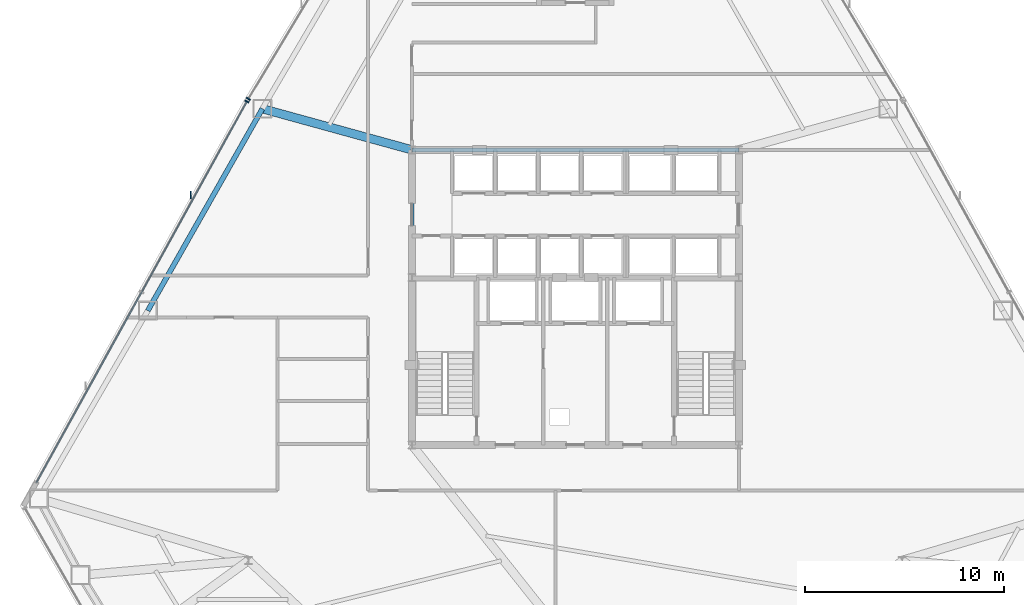
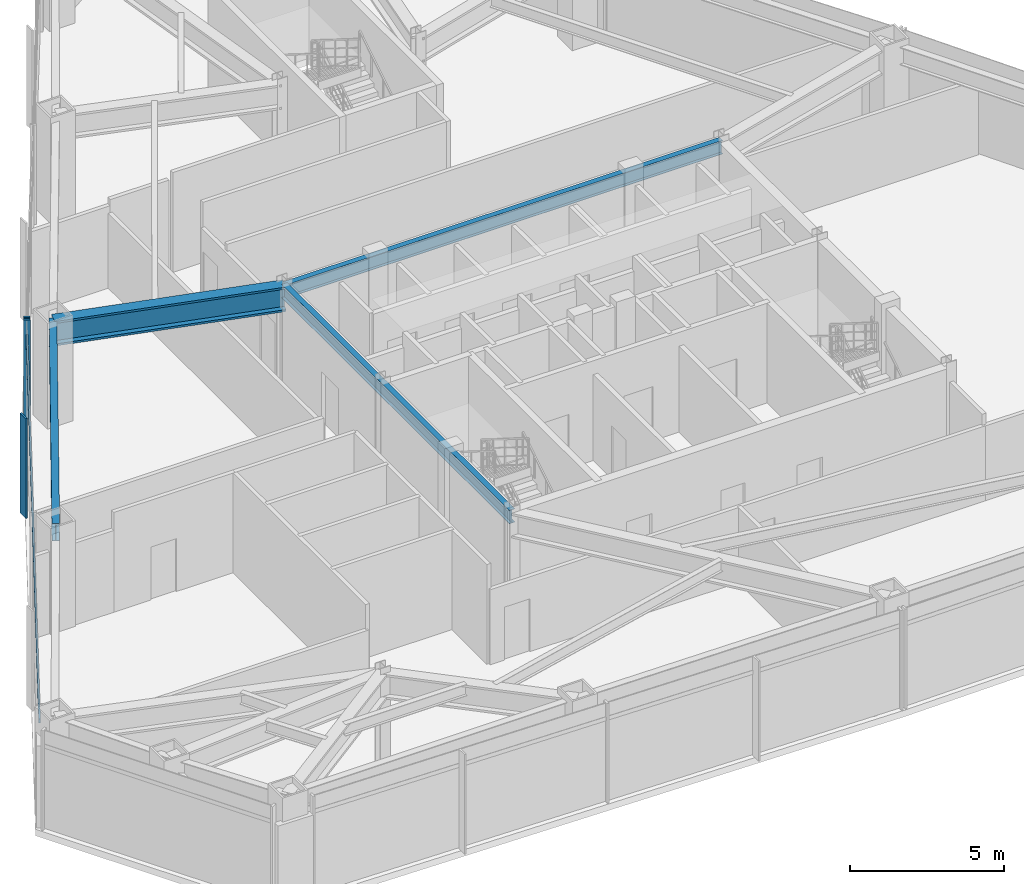
# One storey, part 5 of 13: 4 beams, 4 members, 2 elements without a shape of their own.
"""IFC4 building model written with IfcOpenShell, lengths in metres."""

from ifc_helpers import new_model, si_unit, direction, frame, origin, origin_2d, place, context, subcontext, project, spatial, rectangle, i_section, extrude, source, transform, mapped, material, layer, layer_set, material_profile, profile_set, type_object, type_shapes, element, aggregate, save


model = new_model("IFC4")

# Units and contexts
model_context = context("Model", 3, precision=1e-05, world=origin(), true_north=direction((0.0, 1.0)))
body_context = subcontext(model_context, "Body", "Model", "MODEL_VIEW")
ifc_project = project(units=[si_unit("LENGTHUNIT", "METRE"), si_unit("AREAUNIT", "SQUARE_METRE"), si_unit("VOLUMEUNIT", "CUBIC_METRE"), si_unit("PLANEANGLEUNIT", "RADIAN"), si_unit("MASSUNIT", "GRAM", prefix="KILO")], contexts=[model_context])

# Site, building, storey
site_placement = place(None, origin())
site = spatial("IfcSite", under=ifc_project, at=site_placement, CompositionType="ELEMENT")
building_placement = place(site_placement, origin())
building = spatial("IfcBuilding", under=site, at=building_placement, Name="Varakhsha Concourse Tower", CompositionType="ELEMENT")
storey_placement = place(building_placement, frame((0.0, 0.0, 111.800048828125)))
storey = spatial("IfcBuildingStorey", under=building, at=storey_placement, Name="L32", CompositionType="ELEMENT", Elevation=111.800048828125)

# Beams
ifc_material_1 = material(Name="Structural Steel ASTM A992 Grade 50", Category="steel")
ifc_material_profile_1 = material_profile(ifc_material_1, i_section(OverallWidth=0.2109375, OverallDepth=0.5390625, WebThickness=0.011962890625, FlangeThickness=0.01904296875, at=origin_2d()), Name="W21X73")
ifc_profile_set_1 = profile_set([ifc_material_profile_1], Name="Structural Steel ASTM A992 Grade 50")
beam_type_1 = type_object("IfcBeamType", Name="BM-RAD-W21X73", PredefinedType="BEAM", material=ifc_profile_set_1)
beam_1_placement = place(storey_placement, frame((31.800048828125, 31.199951171875, 3.6904296875), z_axis=(1.0, 0.0, 0.0), x_axis=(0.0, 1.0, 0.0)))
element("IfcBeam", 1, at=beam_1_placement, inside=storey, type_object=beam_type_1, Name="BM-TCORE-L32-CN", PredefinedType="BEAM", context=body_context, shape_type="SweptSolid", body=[
    extrude(i_section(OverallWidth=0.2109375, OverallDepth=0.5390625, WebThickness=0.011962890625, FlangeThickness=0.01904296875, at=origin_2d()), origin(), (0.0, 0.0, 1.0), 16.39990234375),
])
beam_2_placement = place(storey_placement, frame((31.800048828125, 16.39990234375, 3.6904296875), z_axis=(0.0, 1.0, 0.0), x_axis=(-1.0, 0.0, 0.0)))
element("IfcBeam", 2, at=beam_2_placement, inside=storey, type_object=beam_type_1, Name="BM-TCORE-L32-CW", PredefinedType="BEAM", context=body_context, shape_type="SweptSolid", body=[
    extrude(i_section(OverallWidth=0.2109375, OverallDepth=0.5390625, WebThickness=0.011962890625, FlangeThickness=0.01904296875, at=origin_2d()), origin(), (0.0, 0.0, 1.0), 14.800048828125),
])
ifc_material_profile_2 = material_profile(ifc_material_1, i_section(OverallWidth=0.25390625, OverallDepth=0.701904296875, WebThickness=0.014892578125, FlangeThickness=0.028076171875, at=origin_2d()), Name="W27X129")
ifc_profile_set_2 = profile_set([ifc_material_profile_2], Name="Structural Steel ASTM A992 Grade 50")
beam_type_2 = type_object("IfcBeamType", Name="BM-SPAN-W27X129", PredefinedType="SPANDREL", material=ifc_profile_set_2)
beam_3_placement = place(storey_placement, frame((24.299560546875, 33.2646484375, 3.60888671875), z_axis=(-0.493401162042, -0.869801870138, 0.0), x_axis=(0.869801870138, -0.493401162042, 0.0)))
element("IfcBeam", 3, at=beam_3_placement, inside=storey, type_object=beam_type_2, Name="BM-SPAN-L32-05", PredefinedType="SPANDREL", context=body_context, shape_type="SweptSolid", body=[
    extrude(i_section(OverallWidth=0.25390625, OverallDepth=0.701904296875, WebThickness=0.014892578125, FlangeThickness=0.028076171875, at=origin_2d()), origin(), (0.0, 0.0, 1.0), 11.64990234375),
])
ifc_material_profile_3 = material_profile(ifc_material_1, i_section(OverallWidth=0.427978515625, OverallDepth=0.97509765625, WebThickness=0.050048828125, FlangeThickness=0.0810546875, at=origin_2d()), Name="W36X395")
ifc_profile_set_3 = profile_set([ifc_material_profile_3], Name="Structural Steel ASTM A992 Grade 50")
beam_type_3 = type_object("IfcBeamType", Name="BM-XFER-W36X395", PredefinedType="USERDEFINED", material=ifc_profile_set_3)
beam_4_placement = place(storey_placement, frame((31.800048828125, 31.199951171875, 3.472412109375), z_axis=(-0.964137563105, 0.265403013189, 0.0), x_axis=(-0.265403013189, -0.964137563105, 0.0)))
element("IfcBeam", 4, at=beam_4_placement, inside=storey, type_object=beam_type_3, Name="L32 Radial Floor Girder 05", ObjectType="GIRDER", PredefinedType="USERDEFINED", context=body_context, shape_type="SweptSolid", body=[
    extrude(i_section(OverallWidth=0.427978515625, OverallDepth=0.97509765625, WebThickness=0.050048828125, FlangeThickness=0.0810546875, at=origin_2d()), origin(), (0.0, 0.0, 1.0), 7.779541015625),
])

# Curtain wall, member
ifc_material_2 = material(Name="Anodised Bronze Architectural Aluminium AA 6063-T6", Category="aluminium")
ifc_layer = layer(ifc_material_2, 0.2099609375, Name="CW-SYS-04")
ifc_layer_set = layer_set([ifc_layer], Name="Anodised Bronze Architectural Aluminium AA 6063-T6")
curtain_wall_type = type_object("IfcCurtainWallType", Name="CW-SYS-04", PredefinedType="NOTDEFINED", material=ifc_layer_set)
curtain_wall_1_placement = place(storey_placement, origin())
curtain_wall_1 = element("IfcCurtainWall", 5, at=curtain_wall_1_placement, inside=storey, type_object=curtain_wall_type, Name="L32 Crystal Curtain Wall F2", PredefinedType="NOTDEFINED")
ifc_material_profile_4 = material_profile(ifc_material_2, rectangle(XDim=0.074951171875, YDim=0.219970703125, at=origin_2d()), Name="CWM-220X75")
ifc_profile_set_4 = profile_set([ifc_material_profile_4], Name="Anodised Bronze Architectural Aluminium AA 6063-T6")
member_type_1 = type_object("IfcMemberType", Name="CWM-220X75", PredefinedType="MULLION", material=ifc_profile_set_4)
shared_shape_1 = source(origin(), body_context, "Body", "SweptSolid", [
    extrude(rectangle(XDim=0.074951171875, YDim=0.219970703125, at=origin_2d()), origin(), (0.0, 0.0, 1.0), 3.9599609375),
])
type_shapes(member_type_1, [shared_shape_1])
member_1_placement = place(storey_placement, frame((23.601318359375, 33.756591796875, 0.0), z_axis=(0.0, 0.0, 1.0), x_axis=(0.516289709685, 0.856413997827, 0.0)))
member_1 = element("IfcMember", 6, at=member_1_placement, type_object=member_type_1, Name="CW-L32-F2 Mullion 00", PredefinedType="MULLION", context=body_context, shape_type="MappedRepresentation", body=[
    mapped(shared_shape_1, transform((0.0, 0.0, 0.0), scale=1.0)),
])
aggregate(curtain_wall_1, [member_1])

# Curtain wall, members
curtain_wall_2_placement = place(storey_placement, origin())
curtain_wall_2 = element("IfcCurtainWall", 7, at=curtain_wall_2_placement, inside=storey, type_object=curtain_wall_type, Name="L32 Crystal Curtain Wall F3", PredefinedType="NOTDEFINED")
member_2_placement = place(storey_placement, frame((23.5244140625, 33.623291015625, 0.0), z_axis=(0.0, 0.0, 1.0), x_axis=(0.483536006627, 0.875324471436, 0.0)))
member_2 = element("IfcMember", 8, at=member_2_placement, type_object=member_type_1, Name="CW-L32-F3 Mullion 02", PredefinedType="MULLION", context=body_context, shape_type="MappedRepresentation", body=[
    mapped(shared_shape_1, transform((0.0, 0.0, 0.0), scale=1.0)),
])
ifc_material_profile_5 = material_profile(ifc_material_2, rectangle(XDim=0.06494140625, YDim=0.159912109375, at=origin_2d()), Name="CWT-160X65")
ifc_profile_set_5 = profile_set([ifc_material_profile_5], Name="Anodised Bronze Architectural Aluminium AA 6063-T6")
member_type_2 = type_object("IfcMemberType", Name="CWT-160X65", PredefinedType="USERDEFINED", material=ifc_profile_set_5)
shared_shape_2 = source(origin(), body_context, "Body", "SweptSolid", [
    extrude(rectangle(XDim=0.06494140625, YDim=0.159912109375, at=origin_2d()), origin(), (0.0, 0.0, 1.0), 21.83642578125),
])
type_shapes(member_type_2, [shared_shape_2])
member_3_placement = place(storey_placement, frame((12.9658203125, 14.50927734375, 3.31005859375), z_axis=(0.483531262571, 0.875327092073, 0.0), x_axis=(-0.875327092073, 0.483531262571, 0.0)))
member_3 = element("IfcMember", 9, at=member_3_placement, type_object=member_type_2, Name="CW-L32-F3 Transom 01", ObjectType="TRANSOM", PredefinedType="USERDEFINED", context=body_context, shape_type="MappedRepresentation", body=[
    mapped(shared_shape_2, transform((0.0, 0.0, 0.0), scale=1.0)),
])
ifc_material_profile_6 = material_profile(ifc_material_2, rectangle(XDim=0.06005859375, YDim=0.3798828125, at=origin_2d()), Name="FIN-BRZ-380")
ifc_profile_set_6 = profile_set([ifc_material_profile_6], Name="Anodised Bronze Architectural Aluminium AA 6063-T6")
member_type_3 = type_object("IfcMemberType", Name="FIN-BRZ-380", PredefinedType="USERDEFINED", material=ifc_profile_set_6)
shared_shape_3 = source(origin(), body_context, "Body", "SweptSolid", [
    extrude(rectangle(XDim=0.06005859375, YDim=0.3798828125, at=origin_2d()), origin(), (0.0, 0.0, 1.0), 3.9599609375),
])
type_shapes(member_type_3, [shared_shape_3])
member_4_placement = place(storey_placement, frame((20.705322265625, 28.94384765625, 0.0), z_axis=(0.0, 0.0, 1.0), x_axis=(1.0, 0.0, 0.0)))
member_4 = element("IfcMember", 10, at=member_4_placement, type_object=member_type_3, Name="L32 Anodised Bronze Solar Fin F3-2", ObjectType="SOLAR FIN", PredefinedType="USERDEFINED", context=body_context, shape_type="MappedRepresentation", body=[
    mapped(shared_shape_3, transform((0.0, 0.0, 0.0), scale=1.0)),
])
aggregate(curtain_wall_2, [member_2, member_3, member_4])

save(model, "model.ifc")
